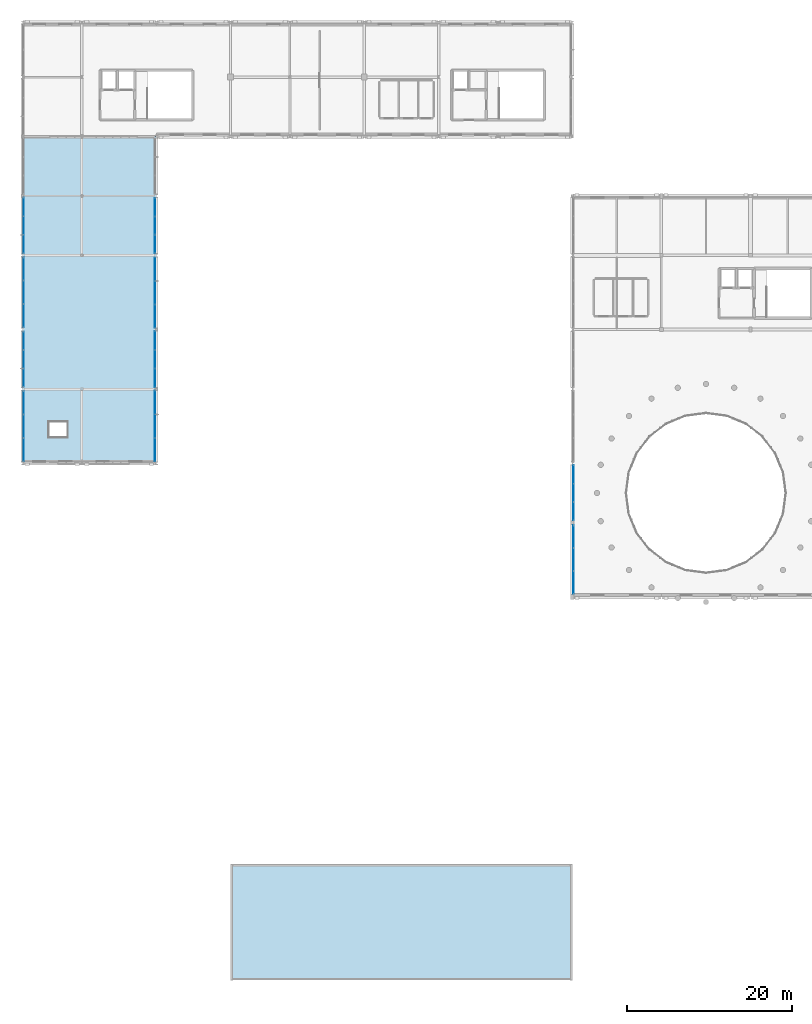
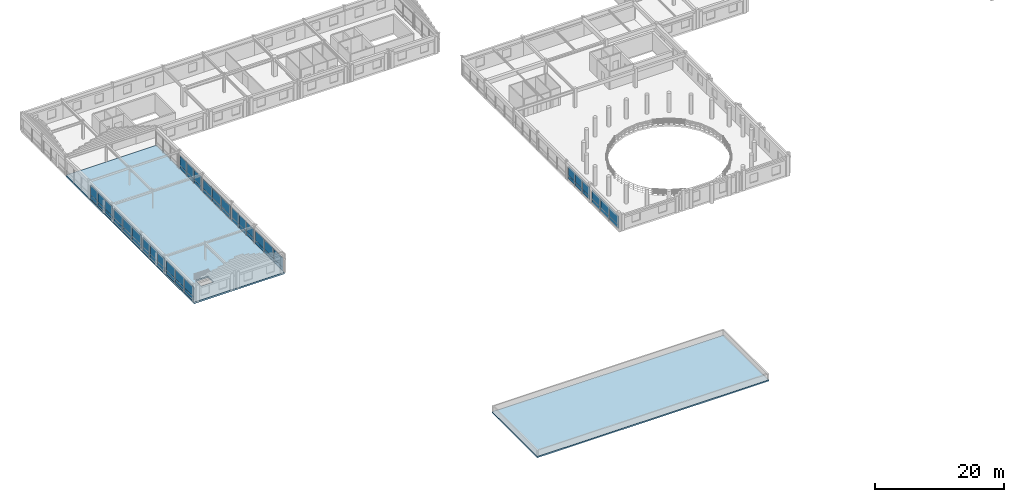
# One storey, part 32 of 52: 60 plates, 2 slabs, 10 elements without a shape of their own.
"""IFC4 building model written with IfcOpenShell, lengths in metres."""

from ifc_helpers import new_model, si_unit, direction, frame, frame_2d, origin, place, context, subcontext, project, spatial, polyline, rectangle, outline, extrude, material, layer, layer_set, type_object, element, aggregate, save


model = new_model("IFC4")

# Units and contexts
model_context = context("Model", 3, precision=1e-05, world=origin(), true_north=direction((0.0, 1.0)))
body_context = subcontext(model_context, "Body", "Model", "MODEL_VIEW")
ifc_project = project(units=[si_unit("LENGTHUNIT", "METRE"), si_unit("AREAUNIT", "SQUARE_METRE"), si_unit("VOLUMEUNIT", "CUBIC_METRE"), si_unit("PLANEANGLEUNIT", "RADIAN"), si_unit("MASSUNIT", "GRAM", prefix="KILO")], contexts=[model_context])

# Site, building, storey
site_placement = place(None, origin())
site = spatial("IfcSite", under=ifc_project, at=site_placement, CompositionType="ELEMENT")
building_placement = place(site_placement, origin())
building = spatial("IfcBuilding", under=site, at=building_placement, Name="Clarverna Civic Hall", CompositionType="ELEMENT")
storey_placement = place(building_placement, frame((0.0, 0.0, 16.800048828125)))
storey = spatial("IfcBuildingStorey", under=building, at=storey_placement, Name="L04", CompositionType="ELEMENT", Elevation=16.800048828125)

# Curtain wall, plates
ifc_material_1 = material(Name="Anodised Bronze Architectural Aluminium", Category="aluminium")
curtain_wall_type_1 = type_object("IfcCurtainWallType", Name="CW-05", PredefinedType="USERDEFINED", material=ifc_material_1)
curtain_wall_1_placement = place(storey_placement, origin())
curtain_wall_1 = element("IfcCurtainWall", 1, at=curtain_wall_1_placement, inside=storey, type_object=curtain_wall_type_1, Name="CW-05-023", ObjectType="UNITISED CURTAIN WALL", PredefinedType="USERDEFINED")
ifc_material_2 = material(Name="Solar-Control Argon Low-E Double Glazing", Category="glass")
ifc_layer_1 = layer(ifc_material_2, 0.031982421875)
ifc_layer_set_1 = layer_set([ifc_layer_1], Name="Solar-Control Argon Low-E Double Glazing")
plate_type_1 = type_object("IfcPlateType", Name="CWP-01", PredefinedType="CURTAIN_PANEL", material=ifc_layer_set_1)
plate_1_placement = place(storey_placement, frame((0.139892578125, 62.85791015625, 0.764892578125), z_axis=(0.0, 0.0, 1.0), x_axis=(0.0, 1.0, 0.0)))
plate_1 = element("IfcPlate", 2, at=plate_1_placement, type_object=plate_type_1, Name="CWP-01-541", PredefinedType="CURTAIN_PANEL", context=body_context, shape_type="SweptSolid", body=[
    extrude(rectangle(XDim=2.811279296875, YDim=0.031982421875, at=frame_2d((1.40576171875, 0.0))), origin(), (0.0, 0.0, 1.0), 1.824951171875),
])
plate_2_placement = place(storey_placement, frame((0.139892578125, 65.69921875, 0.764892578125), z_axis=(0.0, 0.0, 1.0), x_axis=(0.0, 1.0, 0.0)))
plate_2 = element("IfcPlate", 3, at=plate_2_placement, type_object=plate_type_1, Name="CWP-01-542", PredefinedType="CURTAIN_PANEL", context=body_context, shape_type="SweptSolid", body=[
    extrude(rectangle(XDim=2.8115234375, YDim=0.031982421875, at=frame_2d((1.40576171875, 0.0))), origin(), (0.0, 0.0, 1.0), 1.824951171875),
])
plate_3_placement = place(storey_placement, frame((0.139892578125, 68.540771484375, 0.764892578125), z_axis=(0.0, 0.0, 1.0), x_axis=(0.0, 1.0, 0.0)))
plate_3 = element("IfcPlate", 4, at=plate_3_placement, type_object=plate_type_1, Name="CWP-01-543", PredefinedType="CURTAIN_PANEL", context=body_context, shape_type="SweptSolid", body=[
    extrude(rectangle(XDim=2.811279296875, YDim=0.031982421875, at=frame_2d((1.40576171875, 0.0))), origin(), (0.0, 0.0, 1.0), 1.824951171875),
])

curtain_wall_2_placement = place(storey_placement, origin())
curtain_wall_2 = element("IfcCurtainWall", 5, at=curtain_wall_2_placement, inside=storey, type_object=curtain_wall_type_1, Name="CW-05-024", ObjectType="UNITISED CURTAIN WALL", PredefinedType="USERDEFINED")
plate_4_placement = place(storey_placement, frame((0.139892578125, 71.847900390625, 0.764892578125), z_axis=(0.0, 0.0, 1.0), x_axis=(0.0, 1.0, 0.0)))
plate_4 = element("IfcPlate", 6, at=plate_4_placement, type_object=plate_type_1, Name="CWP-01-544", PredefinedType="CURTAIN_PANEL", context=body_context, shape_type="SweptSolid", body=[
    extrude(rectangle(XDim=2.209716796875, YDim=0.031982421875, at=frame_2d((1.10498046875, 0.0))), origin(), (0.0, 0.0, 1.0), 1.824951171875),
])
plate_5_placement = place(storey_placement, frame((0.139892578125, 74.087646484375, 0.764892578125), z_axis=(0.0, 0.0, 1.0), x_axis=(0.0, 1.0, 0.0)))
plate_5 = element("IfcPlate", 7, at=plate_5_placement, type_object=plate_type_1, Name="CWP-01-545", PredefinedType="CURTAIN_PANEL", context=body_context, shape_type="SweptSolid", body=[
    extrude(rectangle(XDim=2.209716796875, YDim=0.031982421875, at=frame_2d((1.10498046875, 0.0))), origin(), (0.0, 0.0, 1.0), 1.824951171875),
])
plate_6_placement = place(storey_placement, frame((0.139892578125, 76.327392578125, 0.764892578125), z_axis=(0.0, 0.0, 1.0), x_axis=(0.0, 1.0, 0.0)))
plate_6 = element("IfcPlate", 8, at=plate_6_placement, type_object=plate_type_1, Name="CWP-01-546", PredefinedType="CURTAIN_PANEL", context=body_context, shape_type="SweptSolid", body=[
    extrude(rectangle(XDim=2.209716796875, YDim=0.031982421875, at=frame_2d((1.10498046875, 0.0))), origin(), (0.0, 0.0, 1.0), 1.824951171875),
])

curtain_wall_3_placement = place(storey_placement, origin())
curtain_wall_3 = element("IfcCurtainWall", 9, at=curtain_wall_3_placement, inside=storey, type_object=curtain_wall_type_1, Name="CW-05-025", ObjectType="UNITISED CURTAIN WALL", PredefinedType="USERDEFINED")
plate_7_placement = place(storey_placement, frame((0.139892578125, 79.06298828125, 0.764892578125), z_axis=(0.0, 0.0, 1.0), x_axis=(0.0, 1.0, 0.0)))
plate_7 = element("IfcPlate", 10, at=plate_7_placement, type_object=plate_type_1, Name="CWP-01-547", PredefinedType="CURTAIN_PANEL", context=body_context, shape_type="SweptSolid", body=[
    extrude(rectangle(XDim=2.811279296875, YDim=0.031982421875, at=frame_2d((1.40576171875, 0.0))), origin(), (0.0, 0.0, 1.0), 1.824951171875),
])
plate_8_placement = place(storey_placement, frame((0.139892578125, 81.904296875, 0.764892578125), z_axis=(0.0, 0.0, 1.0), x_axis=(0.0, 1.0, 0.0)))
plate_8 = element("IfcPlate", 11, at=plate_8_placement, type_object=plate_type_1, Name="CWP-01-548", PredefinedType="CURTAIN_PANEL", context=body_context, shape_type="SweptSolid", body=[
    extrude(rectangle(XDim=2.8115234375, YDim=0.031982421875, at=frame_2d((1.40576171875, 0.0))), origin(), (0.0, 0.0, 1.0), 1.824951171875),
])
plate_9_placement = place(storey_placement, frame((0.139892578125, 84.74560546875, 0.764892578125), z_axis=(0.0, 0.0, 1.0), x_axis=(0.0, 1.0, 0.0)))
plate_9 = element("IfcPlate", 12, at=plate_9_placement, type_object=plate_type_1, Name="CWP-01-549", PredefinedType="CURTAIN_PANEL", context=body_context, shape_type="SweptSolid", body=[
    extrude(rectangle(XDim=2.811279296875, YDim=0.031982421875, at=frame_2d((1.40576171875, 0.0))), origin(), (0.0, 0.0, 1.0), 1.824951171875),
])

curtain_wall_4_placement = place(storey_placement, origin())
curtain_wall_4 = element("IfcCurtainWall", 13, at=curtain_wall_4_placement, inside=storey, type_object=curtain_wall_type_1, Name="CW-05-026", ObjectType="UNITISED CURTAIN WALL", PredefinedType="USERDEFINED")
plate_10_placement = place(storey_placement, frame((0.139892578125, 88.04296875, 0.764892578125), z_axis=(0.0, 0.0, 1.0), x_axis=(0.0, 1.0, 0.0)))
plate_10 = element("IfcPlate", 14, at=plate_10_placement, type_object=plate_type_1, Name="CWP-01-550", PredefinedType="CURTAIN_PANEL", context=body_context, shape_type="SweptSolid", body=[
    extrude(rectangle(XDim=2.22412109375, YDim=0.031982421875, at=frame_2d((1.112060546875, 0.0))), origin(), (0.0, 0.0, 1.0), 1.864990234375),
])
plate_11_placement = place(storey_placement, frame((0.139892578125, 90.297119140625, 0.764892578125), z_axis=(0.0, 0.0, 1.0), x_axis=(0.0, 1.0, 0.0)))
plate_11 = element("IfcPlate", 15, at=plate_11_placement, type_object=plate_type_1, Name="CWP-01-551", PredefinedType="CURTAIN_PANEL", context=body_context, shape_type="SweptSolid", body=[
    extrude(rectangle(XDim=2.22412109375, YDim=0.031982421875, at=frame_2d((1.112060546875, 0.0))), origin(), (0.0, 0.0, 1.0), 1.864990234375),
])
plate_12_placement = place(storey_placement, frame((0.139892578125, 92.55126953125, 0.764892578125), z_axis=(0.0, 0.0, 1.0), x_axis=(0.0, 1.0, 0.0)))
plate_12 = element("IfcPlate", 16, at=plate_12_placement, type_object=plate_type_1, Name="CWP-01-552", PredefinedType="CURTAIN_PANEL", context=body_context, shape_type="SweptSolid", body=[
    extrude(rectangle(XDim=2.22412109375, YDim=0.031982421875, at=frame_2d((1.112060546875, 0.0))), origin(), (0.0, 0.0, 1.0), 1.864990234375),
])

curtain_wall_5_placement = place(storey_placement, origin())
curtain_wall_5 = element("IfcCurtainWall", 17, at=curtain_wall_5_placement, inside=storey, type_object=curtain_wall_type_1, Name="CW-05-033", ObjectType="UNITISED CURTAIN WALL", PredefinedType="USERDEFINED")
plate_13_placement = place(storey_placement, frame((16.06005859375, 94.741943359375, 0.764892578125), z_axis=(0.0, 0.0, 1.0), x_axis=(0.0, -1.0, 0.0)))
plate_13 = element("IfcPlate", 18, at=plate_13_placement, type_object=plate_type_1, Name="CWP-01-569", PredefinedType="CURTAIN_PANEL", context=body_context, shape_type="SweptSolid", body=[
    extrude(rectangle(XDim=2.20458984375, YDim=0.031982421875, at=frame_2d((1.102294921875, 0.0))), origin(), (0.0, 0.0, 1.0), 1.864990234375),
])
plate_14_placement = place(storey_placement, frame((16.06005859375, 92.50732421875, 0.764892578125), z_axis=(0.0, 0.0, 1.0), x_axis=(0.0, -1.0, 0.0)))
plate_14 = element("IfcPlate", 19, at=plate_14_placement, type_object=plate_type_1, Name="CWP-01-570", PredefinedType="CURTAIN_PANEL", context=body_context, shape_type="SweptSolid", body=[
    extrude(rectangle(XDim=2.20458984375, YDim=0.031982421875, at=frame_2d((1.102294921875, 0.0))), origin(), (0.0, 0.0, 1.0), 1.864990234375),
])
plate_15_placement = place(storey_placement, frame((16.06005859375, 90.272705078125, 0.764892578125), z_axis=(0.0, 0.0, 1.0), x_axis=(0.0, -1.0, 0.0)))
plate_15 = element("IfcPlate", 20, at=plate_15_placement, type_object=plate_type_1, Name="CWP-01-571", PredefinedType="CURTAIN_PANEL", context=body_context, shape_type="SweptSolid", body=[
    extrude(rectangle(XDim=2.20458984375, YDim=0.031982421875, at=frame_2d((1.102294921875, 0.0))), origin(), (0.0, 0.0, 1.0), 1.864990234375),
])

curtain_wall_6_placement = place(storey_placement, origin())
curtain_wall_6 = element("IfcCurtainWall", 21, at=curtain_wall_6_placement, inside=storey, type_object=curtain_wall_type_1, Name="CW-05-034", ObjectType="UNITISED CURTAIN WALL", PredefinedType="USERDEFINED")
plate_16_placement = place(storey_placement, frame((16.06005859375, 87.531982421875, 0.764892578125), z_axis=(0.0, 0.0, 1.0), x_axis=(0.0, -1.0, 0.0)))
plate_16 = element("IfcPlate", 22, at=plate_16_placement, type_object=plate_type_1, Name="CWP-01-572", PredefinedType="CURTAIN_PANEL", context=body_context, shape_type="SweptSolid", body=[
    extrude(rectangle(XDim=2.819580078125, YDim=0.031982421875, at=frame_2d((1.40966796875, 0.0))), origin(), (0.0, 0.0, 1.0), 1.824951171875),
])
plate_17_placement = place(storey_placement, frame((16.06005859375, 84.682373046875, 0.764892578125), z_axis=(0.0, 0.0, 1.0), x_axis=(0.0, -1.0, 0.0)))
plate_17 = element("IfcPlate", 23, at=plate_17_placement, type_object=plate_type_1, Name="CWP-01-573", PredefinedType="CURTAIN_PANEL", context=body_context, shape_type="SweptSolid", body=[
    extrude(rectangle(XDim=2.819580078125, YDim=0.031982421875, at=frame_2d((1.40966796875, 0.0))), origin(), (0.0, 0.0, 1.0), 1.824951171875),
])
plate_18_placement = place(storey_placement, frame((16.06005859375, 81.832763671875, 0.764892578125), z_axis=(0.0, 0.0, 1.0), x_axis=(0.0, -1.0, 0.0)))
plate_18 = element("IfcPlate", 24, at=plate_18_placement, type_object=plate_type_1, Name="CWP-01-574", PredefinedType="CURTAIN_PANEL", context=body_context, shape_type="SweptSolid", body=[
    extrude(rectangle(XDim=2.81982421875, YDim=0.031982421875, at=frame_2d((1.409912109375, 0.0))), origin(), (0.0, 0.0, 1.0), 1.824951171875),
])

curtain_wall_7_placement = place(storey_placement, origin())
curtain_wall_7 = element("IfcCurtainWall", 25, at=curtain_wall_7_placement, inside=storey, type_object=curtain_wall_type_1, Name="CW-05-035", ObjectType="UNITISED CURTAIN WALL", PredefinedType="USERDEFINED")
plate_19_placement = place(storey_placement, frame((16.06005859375, 78.5869140625, 0.764892578125), z_axis=(0.0, 0.0, 1.0), x_axis=(0.0, -1.0, 0.0)))
plate_19 = element("IfcPlate", 26, at=plate_19_placement, type_object=plate_type_1, Name="CWP-01-575", PredefinedType="CURTAIN_PANEL", context=body_context, shape_type="SweptSolid", body=[
    extrude(rectangle(XDim=2.234130859375, YDim=0.031982421875, at=frame_2d((1.1171875, 0.0))), origin(), (0.0, 0.0, 1.0), 1.824951171875),
])
plate_20_placement = place(storey_placement, frame((16.06005859375, 76.32275390625, 0.764892578125), z_axis=(0.0, 0.0, 1.0), x_axis=(0.0, -1.0, 0.0)))
plate_20 = element("IfcPlate", 27, at=plate_20_placement, type_object=plate_type_1, Name="CWP-01-576", PredefinedType="CURTAIN_PANEL", context=body_context, shape_type="SweptSolid", body=[
    extrude(rectangle(XDim=2.234130859375, YDim=0.031982421875, at=frame_2d((1.1171875, 0.0))), origin(), (0.0, 0.0, 1.0), 1.824951171875),
])
plate_21_placement = place(storey_placement, frame((16.06005859375, 74.05859375, 0.764892578125), z_axis=(0.0, 0.0, 1.0), x_axis=(0.0, -1.0, 0.0)))
plate_21 = element("IfcPlate", 28, at=plate_21_placement, type_object=plate_type_1, Name="CWP-01-577", PredefinedType="CURTAIN_PANEL", context=body_context, shape_type="SweptSolid", body=[
    extrude(rectangle(XDim=2.234130859375, YDim=0.031982421875, at=frame_2d((1.1171875, 0.0))), origin(), (0.0, 0.0, 1.0), 1.824951171875),
])

curtain_wall_8_placement = place(storey_placement, origin())
curtain_wall_8 = element("IfcCurtainWall", 29, at=curtain_wall_8_placement, inside=storey, type_object=curtain_wall_type_1, Name="CW-05-036", ObjectType="UNITISED CURTAIN WALL", PredefinedType="USERDEFINED")
plate_22_placement = place(storey_placement, frame((16.06005859375, 71.37548828125, 0.764892578125), z_axis=(0.0, 0.0, 1.0), x_axis=(0.0, -1.0, 0.0)))
plate_22 = element("IfcPlate", 30, at=plate_22_placement, type_object=plate_type_1, Name="CWP-01-578", PredefinedType="CURTAIN_PANEL", context=body_context, shape_type="SweptSolid", body=[
    extrude(rectangle(XDim=2.82421875, YDim=0.031982421875, at=frame_2d((1.412109375, 0.0))), origin(), (0.0, 0.0, 1.0), 1.824951171875),
])
plate_23_placement = place(storey_placement, frame((16.06005859375, 68.521240234375, 0.764892578125), z_axis=(0.0, 0.0, 1.0), x_axis=(0.0, -1.0, 0.0)))
plate_23 = element("IfcPlate", 31, at=plate_23_placement, type_object=plate_type_1, Name="CWP-01-579", PredefinedType="CURTAIN_PANEL", context=body_context, shape_type="SweptSolid", body=[
    extrude(rectangle(XDim=2.823974609375, YDim=0.031982421875, at=frame_2d((1.412109375, 0.0))), origin(), (0.0, 0.0, 1.0), 1.824951171875),
])
plate_24_placement = place(storey_placement, frame((16.06005859375, 65.667236328125, 0.764892578125), z_axis=(0.0, 0.0, 1.0), x_axis=(0.0, -1.0, 0.0)))
plate_24 = element("IfcPlate", 32, at=plate_24_placement, type_object=plate_type_1, Name="CWP-01-580", PredefinedType="CURTAIN_PANEL", context=body_context, shape_type="SweptSolid", body=[
    extrude(rectangle(XDim=2.82421875, YDim=0.031982421875, at=frame_2d((1.412109375, 0.0))), origin(), (0.0, 0.0, 1.0), 1.824951171875),
])

curtain_wall_type_2 = type_object("IfcCurtainWallType", Name="CW-06", PredefinedType="USERDEFINED", material=ifc_material_1)
curtain_wall_9_placement = place(storey_placement, origin())
curtain_wall_9 = element("IfcCurtainWall", 33, at=curtain_wall_9_placement, inside=storey, type_object=curtain_wall_type_2, Name="CW-06-001", ObjectType="UNITISED CURTAIN WALL", PredefinedType="USERDEFINED")
ifc_material_3 = material(Name="Acoustic Laminated Solar-Control Glazing", Category="glass")
ifc_layer_2 = layer(ifc_material_3, 0.035888671875)
ifc_layer_set_2 = layer_set([ifc_layer_2], Name="Acoustic Laminated Solar-Control Glazing")
plate_type_2 = type_object("IfcPlateType", Name="CWP-02", PredefinedType="CURTAIN_PANEL", material=ifc_layer_set_2)
plate_25_placement = place(storey_placement, frame((66.764892578125, 46.7880859375, 0.764892578125), z_axis=(0.0, 0.0, 1.0), x_axis=(0.0, 1.0, 0.0)))
plate_25 = element("IfcPlate", 34, at=plate_25_placement, type_object=plate_type_2, Name="CWP-02-003", PredefinedType="CURTAIN_PANEL", context=body_context, shape_type="SweptSolid", body=[
    extrude(rectangle(XDim=2.74609375, YDim=0.035888671875, at=frame_2d((1.373046875, 0.0))), origin(), (0.0, 0.0, 1.0), 1.7451171875),
])
plate_26_placement = place(storey_placement, frame((66.764892578125, 49.564208984375, 0.764892578125), z_axis=(0.0, 0.0, 1.0), x_axis=(0.0, 1.0, 0.0)))
plate_26 = element("IfcPlate", 35, at=plate_26_placement, type_object=plate_type_2, Name="CWP-02-004", PredefinedType="CURTAIN_PANEL", context=body_context, shape_type="SweptSolid", body=[
    extrude(rectangle(XDim=2.74658203125, YDim=0.035888671875, at=frame_2d((1.373291015625, 0.0))), origin(), (0.0, 0.0, 1.0), 1.7451171875),
])
plate_27_placement = place(storey_placement, frame((66.764892578125, 52.3408203125, 0.764892578125), z_axis=(0.0, 0.0, 1.0), x_axis=(0.0, 1.0, 0.0)))
plate_27 = element("IfcPlate", 36, at=plate_27_placement, type_object=plate_type_2, Name="CWP-02-005", PredefinedType="CURTAIN_PANEL", context=body_context, shape_type="SweptSolid", body=[
    extrude(rectangle(XDim=2.74609375, YDim=0.035888671875, at=frame_2d((1.373046875, 0.0))), origin(), (0.0, 0.0, 1.0), 1.7451171875),
])

curtain_wall_10_placement = place(storey_placement, origin())
curtain_wall_10 = element("IfcCurtainWall", 37, at=curtain_wall_10_placement, inside=storey, type_object=curtain_wall_type_2, Name="CW-06-002", ObjectType="UNITISED CURTAIN WALL", PredefinedType="USERDEFINED")
plate_28_placement = place(storey_placement, frame((66.764892578125, 55.712890625, 0.764892578125), z_axis=(0.0, 0.0, 1.0), x_axis=(0.0, 1.0, 0.0)))
plate_28 = element("IfcPlate", 38, at=plate_28_placement, type_object=plate_type_2, Name="CWP-02-006", PredefinedType="CURTAIN_PANEL", context=body_context, shape_type="SweptSolid", body=[
    extrude(rectangle(XDim=2.189697265625, YDim=0.035888671875, at=frame_2d((1.0947265625, 0.0))), origin(), (0.0, 0.0, 1.0), 1.7451171875),
])
plate_29_placement = place(storey_placement, frame((66.764892578125, 57.9326171875, 0.764892578125), z_axis=(0.0, 0.0, 1.0), x_axis=(0.0, 1.0, 0.0)))
plate_29 = element("IfcPlate", 39, at=plate_29_placement, type_object=plate_type_2, Name="CWP-02-007", PredefinedType="CURTAIN_PANEL", context=body_context, shape_type="SweptSolid", body=[
    extrude(rectangle(XDim=2.189697265625, YDim=0.035888671875, at=frame_2d((1.0947265625, 0.0))), origin(), (0.0, 0.0, 1.0), 1.7451171875),
])
plate_30_placement = place(storey_placement, frame((66.764892578125, 60.15234375, 0.764892578125), z_axis=(0.0, 0.0, 1.0), x_axis=(0.0, 1.0, 0.0)))
plate_30 = element("IfcPlate", 40, at=plate_30_placement, type_object=plate_type_2, Name="CWP-02-008", PredefinedType="CURTAIN_PANEL", context=body_context, shape_type="SweptSolid", body=[
    extrude(rectangle(XDim=2.189697265625, YDim=0.035888671875, at=frame_2d((1.0947265625, 0.0))), origin(), (0.0, 0.0, 1.0), 1.7451171875),
])

# Plate
ifc_material_4 = material(Name="Insulated Anodised Bronze Spandrel Panel", Category="aluminium")
ifc_layer_3 = layer(ifc_material_4, 0.048095703125)
ifc_layer_set_3 = layer_set([ifc_layer_3], Name="Insulated Anodised Bronze Spandrel Panel")
plate_type_3 = type_object("IfcPlateType", Name="CWP-03", PredefinedType="CURTAIN_PANEL", material=ifc_layer_set_3)
plate_31_placement = place(storey_placement, frame((66.764892578125, 46.7880859375, 0.10986328125), z_axis=(0.0, 0.0, 1.0), x_axis=(0.0, 1.0, 0.0)))
plate_31 = element("IfcPlate", 41, at=plate_31_placement, type_object=plate_type_3, Name="CWP-03-543", PredefinedType="CURTAIN_PANEL", context=body_context, shape_type="SweptSolid", body=[
    extrude(rectangle(XDim=2.74609375, YDim=0.048095703125, at=frame_2d((1.373046875, 0.0))), origin(), (0.0, 0.0, 1.0), 0.625),
])

plate_32_placement = place(storey_placement, frame((66.764892578125, 49.564208984375, 0.10986328125), z_axis=(0.0, 0.0, 1.0), x_axis=(0.0, 1.0, 0.0)))
plate_32 = element("IfcPlate", 42, at=plate_32_placement, type_object=plate_type_3, Name="CWP-03-544", PredefinedType="CURTAIN_PANEL", context=body_context, shape_type="SweptSolid", body=[
    extrude(rectangle(XDim=2.74658203125, YDim=0.048095703125, at=frame_2d((1.373291015625, 0.0))), origin(), (0.0, 0.0, 1.0), 0.625),
])

plate_33_placement = place(storey_placement, frame((66.764892578125, 52.3408203125, 0.10986328125), z_axis=(0.0, 0.0, 1.0), x_axis=(0.0, 1.0, 0.0)))
plate_33 = element("IfcPlate", 43, at=plate_33_placement, type_object=plate_type_3, Name="CWP-03-545", PredefinedType="CURTAIN_PANEL", context=body_context, shape_type="SweptSolid", body=[
    extrude(rectangle(XDim=2.74609375, YDim=0.048095703125, at=frame_2d((1.373046875, 0.0))), origin(), (0.0, 0.0, 1.0), 0.625),
])

aggregate(curtain_wall_9, [plate_31, plate_25, plate_32, plate_26, plate_33, plate_27])

plate_34_placement = place(storey_placement, frame((66.764892578125, 55.712890625, 0.10986328125), z_axis=(0.0, 0.0, 1.0), x_axis=(0.0, 1.0, 0.0)))
plate_34 = element("IfcPlate", 44, at=plate_34_placement, type_object=plate_type_3, Name="CWP-03-546", PredefinedType="CURTAIN_PANEL", context=body_context, shape_type="SweptSolid", body=[
    extrude(rectangle(XDim=2.189697265625, YDim=0.048095703125, at=frame_2d((1.0947265625, 0.0))), origin(), (0.0, 0.0, 1.0), 0.625),
])

plate_35_placement = place(storey_placement, frame((66.764892578125, 57.9326171875, 0.10986328125), z_axis=(0.0, 0.0, 1.0), x_axis=(0.0, 1.0, 0.0)))
plate_35 = element("IfcPlate", 45, at=plate_35_placement, type_object=plate_type_3, Name="CWP-03-547", PredefinedType="CURTAIN_PANEL", context=body_context, shape_type="SweptSolid", body=[
    extrude(rectangle(XDim=2.189697265625, YDim=0.048095703125, at=frame_2d((1.0947265625, 0.0))), origin(), (0.0, 0.0, 1.0), 0.625),
])

plate_36_placement = place(storey_placement, frame((66.764892578125, 60.15234375, 0.10986328125), z_axis=(0.0, 0.0, 1.0), x_axis=(0.0, 1.0, 0.0)))
plate_36 = element("IfcPlate", 46, at=plate_36_placement, type_object=plate_type_3, Name="CWP-03-548", PredefinedType="CURTAIN_PANEL", context=body_context, shape_type="SweptSolid", body=[
    extrude(rectangle(XDim=2.189697265625, YDim=0.048095703125, at=frame_2d((1.0947265625, 0.0))), origin(), (0.0, 0.0, 1.0), 0.625),
])

aggregate(curtain_wall_10, [plate_34, plate_28, plate_35, plate_29, plate_36, plate_30])

plate_37_placement = place(storey_placement, frame((0.139892578125, 62.85791015625, 0.10986328125), z_axis=(0.0, 0.0, 1.0), x_axis=(0.0, 1.0, 0.0)))
plate_37 = element("IfcPlate", 47, at=plate_37_placement, type_object=plate_type_3, Name="CWP-03-561", PredefinedType="CURTAIN_PANEL", context=body_context, shape_type="SweptSolid", body=[
    extrude(rectangle(XDim=2.811279296875, YDim=0.048095703125, at=frame_2d((1.40576171875, 0.0))), origin(), (0.0, 0.0, 1.0), 0.625),
])

plate_38_placement = place(storey_placement, frame((0.139892578125, 65.69921875, 0.10986328125), z_axis=(0.0, 0.0, 1.0), x_axis=(0.0, 1.0, 0.0)))
plate_38 = element("IfcPlate", 48, at=plate_38_placement, type_object=plate_type_3, Name="CWP-03-562", PredefinedType="CURTAIN_PANEL", context=body_context, shape_type="SweptSolid", body=[
    extrude(rectangle(XDim=2.8115234375, YDim=0.048095703125, at=frame_2d((1.40576171875, 0.0))), origin(), (0.0, 0.0, 1.0), 0.625),
])

plate_39_placement = place(storey_placement, frame((0.139892578125, 68.540771484375, 0.10986328125), z_axis=(0.0, 0.0, 1.0), x_axis=(0.0, 1.0, 0.0)))
plate_39 = element("IfcPlate", 49, at=plate_39_placement, type_object=plate_type_3, Name="CWP-03-563", PredefinedType="CURTAIN_PANEL", context=body_context, shape_type="SweptSolid", body=[
    extrude(rectangle(XDim=2.811279296875, YDim=0.048095703125, at=frame_2d((1.40576171875, 0.0))), origin(), (0.0, 0.0, 1.0), 0.625),
])

aggregate(curtain_wall_1, [plate_37, plate_1, plate_38, plate_2, plate_39, plate_3])

plate_40_placement = place(storey_placement, frame((0.139892578125, 71.847900390625, 0.10986328125), z_axis=(0.0, 0.0, 1.0), x_axis=(0.0, 1.0, 0.0)))
plate_40 = element("IfcPlate", 50, at=plate_40_placement, type_object=plate_type_3, Name="CWP-03-564", PredefinedType="CURTAIN_PANEL", context=body_context, shape_type="SweptSolid", body=[
    extrude(rectangle(XDim=2.209716796875, YDim=0.048095703125, at=frame_2d((1.10498046875, 0.0))), origin(), (0.0, 0.0, 1.0), 0.625),
])

plate_41_placement = place(storey_placement, frame((0.139892578125, 74.087646484375, 0.10986328125), z_axis=(0.0, 0.0, 1.0), x_axis=(0.0, 1.0, 0.0)))
plate_41 = element("IfcPlate", 51, at=plate_41_placement, type_object=plate_type_3, Name="CWP-03-565", PredefinedType="CURTAIN_PANEL", context=body_context, shape_type="SweptSolid", body=[
    extrude(rectangle(XDim=2.209716796875, YDim=0.048095703125, at=frame_2d((1.10498046875, 0.0))), origin(), (0.0, 0.0, 1.0), 0.625),
])

plate_42_placement = place(storey_placement, frame((0.139892578125, 76.327392578125, 0.10986328125), z_axis=(0.0, 0.0, 1.0), x_axis=(0.0, 1.0, 0.0)))
plate_42 = element("IfcPlate", 52, at=plate_42_placement, type_object=plate_type_3, Name="CWP-03-566", PredefinedType="CURTAIN_PANEL", context=body_context, shape_type="SweptSolid", body=[
    extrude(rectangle(XDim=2.209716796875, YDim=0.048095703125, at=frame_2d((1.10498046875, 0.0))), origin(), (0.0, 0.0, 1.0), 0.625),
])

aggregate(curtain_wall_2, [plate_40, plate_4, plate_41, plate_5, plate_42, plate_6])

plate_43_placement = place(storey_placement, frame((0.139892578125, 79.06298828125, 0.10986328125), z_axis=(0.0, 0.0, 1.0), x_axis=(0.0, 1.0, 0.0)))
plate_43 = element("IfcPlate", 53, at=plate_43_placement, type_object=plate_type_3, Name="CWP-03-567", PredefinedType="CURTAIN_PANEL", context=body_context, shape_type="SweptSolid", body=[
    extrude(rectangle(XDim=2.811279296875, YDim=0.048095703125, at=frame_2d((1.40576171875, 0.0))), origin(), (0.0, 0.0, 1.0), 0.625),
])

plate_44_placement = place(storey_placement, frame((0.139892578125, 81.904296875, 0.10986328125), z_axis=(0.0, 0.0, 1.0), x_axis=(0.0, 1.0, 0.0)))
plate_44 = element("IfcPlate", 54, at=plate_44_placement, type_object=plate_type_3, Name="CWP-03-568", PredefinedType="CURTAIN_PANEL", context=body_context, shape_type="SweptSolid", body=[
    extrude(rectangle(XDim=2.8115234375, YDim=0.048095703125, at=frame_2d((1.40576171875, 0.0))), origin(), (0.0, 0.0, 1.0), 0.625),
])

plate_45_placement = place(storey_placement, frame((0.139892578125, 84.74560546875, 0.10986328125), z_axis=(0.0, 0.0, 1.0), x_axis=(0.0, 1.0, 0.0)))
plate_45 = element("IfcPlate", 55, at=plate_45_placement, type_object=plate_type_3, Name="CWP-03-569", PredefinedType="CURTAIN_PANEL", context=body_context, shape_type="SweptSolid", body=[
    extrude(rectangle(XDim=2.811279296875, YDim=0.048095703125, at=frame_2d((1.40576171875, 0.0))), origin(), (0.0, 0.0, 1.0), 0.625),
])

aggregate(curtain_wall_3, [plate_43, plate_7, plate_44, plate_8, plate_45, plate_9])

plate_46_placement = place(storey_placement, frame((0.139892578125, 88.04296875, 0.10986328125), z_axis=(0.0, 0.0, 1.0), x_axis=(0.0, 1.0, 0.0)))
plate_46 = element("IfcPlate", 56, at=plate_46_placement, type_object=plate_type_3, Name="CWP-03-570", PredefinedType="CURTAIN_PANEL", context=body_context, shape_type="SweptSolid", body=[
    extrude(rectangle(XDim=2.22412109375, YDim=0.048095703125, at=frame_2d((1.112060546875, 0.0))), origin(), (0.0, 0.0, 1.0), 0.625),
])

plate_47_placement = place(storey_placement, frame((0.139892578125, 90.297119140625, 0.10986328125), z_axis=(0.0, 0.0, 1.0), x_axis=(0.0, 1.0, 0.0)))
plate_47 = element("IfcPlate", 57, at=plate_47_placement, type_object=plate_type_3, Name="CWP-03-571", PredefinedType="CURTAIN_PANEL", context=body_context, shape_type="SweptSolid", body=[
    extrude(rectangle(XDim=2.22412109375, YDim=0.048095703125, at=frame_2d((1.112060546875, 0.0))), origin(), (0.0, 0.0, 1.0), 0.625),
])

plate_48_placement = place(storey_placement, frame((0.139892578125, 92.55126953125, 0.10986328125), z_axis=(0.0, 0.0, 1.0), x_axis=(0.0, 1.0, 0.0)))
plate_48 = element("IfcPlate", 58, at=plate_48_placement, type_object=plate_type_3, Name="CWP-03-572", PredefinedType="CURTAIN_PANEL", context=body_context, shape_type="SweptSolid", body=[
    extrude(rectangle(XDim=2.22412109375, YDim=0.048095703125, at=frame_2d((1.112060546875, 0.0))), origin(), (0.0, 0.0, 1.0), 0.625),
])

aggregate(curtain_wall_4, [plate_46, plate_10, plate_47, plate_11, plate_48, plate_12])

plate_49_placement = place(storey_placement, frame((16.06005859375, 94.741943359375, 0.10986328125), z_axis=(0.0, 0.0, 1.0), x_axis=(0.0, -1.0, 0.0)))
plate_49 = element("IfcPlate", 59, at=plate_49_placement, type_object=plate_type_3, Name="CWP-03-589", PredefinedType="CURTAIN_PANEL", context=body_context, shape_type="SweptSolid", body=[
    extrude(rectangle(XDim=2.20458984375, YDim=0.048095703125, at=frame_2d((1.102294921875, 0.0))), origin(), (0.0, 0.0, 1.0), 0.625),
])

plate_50_placement = place(storey_placement, frame((16.06005859375, 92.50732421875, 0.10986328125), z_axis=(0.0, 0.0, 1.0), x_axis=(0.0, -1.0, 0.0)))
plate_50 = element("IfcPlate", 60, at=plate_50_placement, type_object=plate_type_3, Name="CWP-03-590", PredefinedType="CURTAIN_PANEL", context=body_context, shape_type="SweptSolid", body=[
    extrude(rectangle(XDim=2.20458984375, YDim=0.048095703125, at=frame_2d((1.102294921875, 0.0))), origin(), (0.0, 0.0, 1.0), 0.625),
])

plate_51_placement = place(storey_placement, frame((16.06005859375, 90.272705078125, 0.10986328125), z_axis=(0.0, 0.0, 1.0), x_axis=(0.0, -1.0, 0.0)))
plate_51 = element("IfcPlate", 61, at=plate_51_placement, type_object=plate_type_3, Name="CWP-03-591", PredefinedType="CURTAIN_PANEL", context=body_context, shape_type="SweptSolid", body=[
    extrude(rectangle(XDim=2.20458984375, YDim=0.048095703125, at=frame_2d((1.102294921875, 0.0))), origin(), (0.0, 0.0, 1.0), 0.625),
])

aggregate(curtain_wall_5, [plate_49, plate_13, plate_50, plate_14, plate_51, plate_15])

plate_52_placement = place(storey_placement, frame((16.06005859375, 87.531982421875, 0.10986328125), z_axis=(0.0, 0.0, 1.0), x_axis=(0.0, -1.0, 0.0)))
plate_52 = element("IfcPlate", 62, at=plate_52_placement, type_object=plate_type_3, Name="CWP-03-592", PredefinedType="CURTAIN_PANEL", context=body_context, shape_type="SweptSolid", body=[
    extrude(rectangle(XDim=2.819580078125, YDim=0.048095703125, at=frame_2d((1.40966796875, 0.0))), origin(), (0.0, 0.0, 1.0), 0.625),
])

plate_53_placement = place(storey_placement, frame((16.06005859375, 84.682373046875, 0.10986328125), z_axis=(0.0, 0.0, 1.0), x_axis=(0.0, -1.0, 0.0)))
plate_53 = element("IfcPlate", 63, at=plate_53_placement, type_object=plate_type_3, Name="CWP-03-593", PredefinedType="CURTAIN_PANEL", context=body_context, shape_type="SweptSolid", body=[
    extrude(rectangle(XDim=2.819580078125, YDim=0.048095703125, at=frame_2d((1.40966796875, 0.0))), origin(), (0.0, 0.0, 1.0), 0.625),
])

plate_54_placement = place(storey_placement, frame((16.06005859375, 81.832763671875, 0.10986328125), z_axis=(0.0, 0.0, 1.0), x_axis=(0.0, -1.0, 0.0)))
plate_54 = element("IfcPlate", 64, at=plate_54_placement, type_object=plate_type_3, Name="CWP-03-594", PredefinedType="CURTAIN_PANEL", context=body_context, shape_type="SweptSolid", body=[
    extrude(rectangle(XDim=2.81982421875, YDim=0.048095703125, at=frame_2d((1.409912109375, 0.0))), origin(), (0.0, 0.0, 1.0), 0.625),
])

aggregate(curtain_wall_6, [plate_52, plate_16, plate_53, plate_17, plate_54, plate_18])

plate_55_placement = place(storey_placement, frame((16.06005859375, 78.5869140625, 0.10986328125), z_axis=(0.0, 0.0, 1.0), x_axis=(0.0, -1.0, 0.0)))
plate_55 = element("IfcPlate", 65, at=plate_55_placement, type_object=plate_type_3, Name="CWP-03-595", PredefinedType="CURTAIN_PANEL", context=body_context, shape_type="SweptSolid", body=[
    extrude(rectangle(XDim=2.234130859375, YDim=0.048095703125, at=frame_2d((1.1171875, 0.0))), origin(), (0.0, 0.0, 1.0), 0.625),
])

plate_56_placement = place(storey_placement, frame((16.06005859375, 76.32275390625, 0.10986328125), z_axis=(0.0, 0.0, 1.0), x_axis=(0.0, -1.0, 0.0)))
plate_56 = element("IfcPlate", 66, at=plate_56_placement, type_object=plate_type_3, Name="CWP-03-596", PredefinedType="CURTAIN_PANEL", context=body_context, shape_type="SweptSolid", body=[
    extrude(rectangle(XDim=2.234130859375, YDim=0.048095703125, at=frame_2d((1.1171875, 0.0))), origin(), (0.0, 0.0, 1.0), 0.625),
])

plate_57_placement = place(storey_placement, frame((16.06005859375, 74.05859375, 0.10986328125), z_axis=(0.0, 0.0, 1.0), x_axis=(0.0, -1.0, 0.0)))
plate_57 = element("IfcPlate", 67, at=plate_57_placement, type_object=plate_type_3, Name="CWP-03-597", PredefinedType="CURTAIN_PANEL", context=body_context, shape_type="SweptSolid", body=[
    extrude(rectangle(XDim=2.234130859375, YDim=0.048095703125, at=frame_2d((1.1171875, 0.0))), origin(), (0.0, 0.0, 1.0), 0.625),
])

aggregate(curtain_wall_7, [plate_55, plate_19, plate_56, plate_20, plate_57, plate_21])

plate_58_placement = place(storey_placement, frame((16.06005859375, 71.37548828125, 0.10986328125), z_axis=(0.0, 0.0, 1.0), x_axis=(0.0, -1.0, 0.0)))
plate_58 = element("IfcPlate", 68, at=plate_58_placement, type_object=plate_type_3, Name="CWP-03-598", PredefinedType="CURTAIN_PANEL", context=body_context, shape_type="SweptSolid", body=[
    extrude(rectangle(XDim=2.82421875, YDim=0.048095703125, at=frame_2d((1.412109375, 0.0))), origin(), (0.0, 0.0, 1.0), 0.625),
])

plate_59_placement = place(storey_placement, frame((16.06005859375, 68.521240234375, 0.10986328125), z_axis=(0.0, 0.0, 1.0), x_axis=(0.0, -1.0, 0.0)))
plate_59 = element("IfcPlate", 69, at=plate_59_placement, type_object=plate_type_3, Name="CWP-03-599", PredefinedType="CURTAIN_PANEL", context=body_context, shape_type="SweptSolid", body=[
    extrude(rectangle(XDim=2.823974609375, YDim=0.048095703125, at=frame_2d((1.412109375, 0.0))), origin(), (0.0, 0.0, 1.0), 0.625),
])

plate_60_placement = place(storey_placement, frame((16.06005859375, 65.667236328125, 0.10986328125), z_axis=(0.0, 0.0, 1.0), x_axis=(0.0, -1.0, 0.0)))
plate_60 = element("IfcPlate", 70, at=plate_60_placement, type_object=plate_type_3, Name="CWP-03-600", PredefinedType="CURTAIN_PANEL", context=body_context, shape_type="SweptSolid", body=[
    extrude(rectangle(XDim=2.82421875, YDim=0.048095703125, at=frame_2d((1.412109375, 0.0))), origin(), (0.0, 0.0, 1.0), 0.625),
])

aggregate(curtain_wall_8, [plate_58, plate_22, plate_59, plate_23, plate_60, plate_24])

# Slabs
ifc_material_5 = material(Name="Concrete C30/37", Category="concrete")
ifc_layer_4 = layer(ifc_material_5, 0.300048828125)
ifc_layer_set_4 = layer_set([ifc_layer_4], Name="Concrete C30/37")
slab_type_1 = type_object("IfcSlabType", Name="SL-FL3", PredefinedType="FLOOR", material=ifc_layer_set_4)
slab_1_placement = place(storey_placement, frame((0.0, 0.0, -0.300048828125)))
element("IfcSlab", 71, at=slab_1_placement, inside=storey, type_object=slab_type_1, Name="SL-FL3-004", PredefinedType="FLOOR", context=body_context, shape_type="SweptSolid", body=[
    extrude(outline(polyline([(0.0, 102.199951171875), (0.0, 62.60009765625), (16.199951171875, 62.60009765625), (16.199951171875, 102.199951171875), (0.0, 102.199951171875)]), holes=[polyline([(3.199951171875, 65.800048828125), (5.39990234375, 65.800048828125), (5.39990234375, 67.60009765625), (3.199951171875, 67.60009765625), (3.199951171875, 65.800048828125)])]), origin(), (0.0, 0.0, 1.0), 0.300048828125),
])
ifc_layer_5 = layer(ifc_material_5, 0.260009765625)
ifc_layer_set_5 = layer_set([ifc_layer_5], Name="Concrete C30/37")
slab_type_2 = type_object("IfcSlabType", Name="SL-RF1", PredefinedType="ROOF", material=ifc_layer_set_5)
slab_2_placement = place(storey_placement, frame((0.0, 0.0, -0.260009765625)))
element("IfcSlab", 72, at=slab_2_placement, inside=storey, type_object=slab_type_2, Name="SL-RF1-005", PredefinedType="ROOF", context=body_context, shape_type="SweptSolid", body=[
    extrude(outline(polyline([(25.199951171875, 0.0), (66.574951171875, 0.0), (66.574951171875, 14.0), (25.199951171875, 14.0), (25.199951171875, 0.0)])), origin(), (0.0, 0.0, 1.0), 0.260009765625),
])

save(model, "model.ifc")
